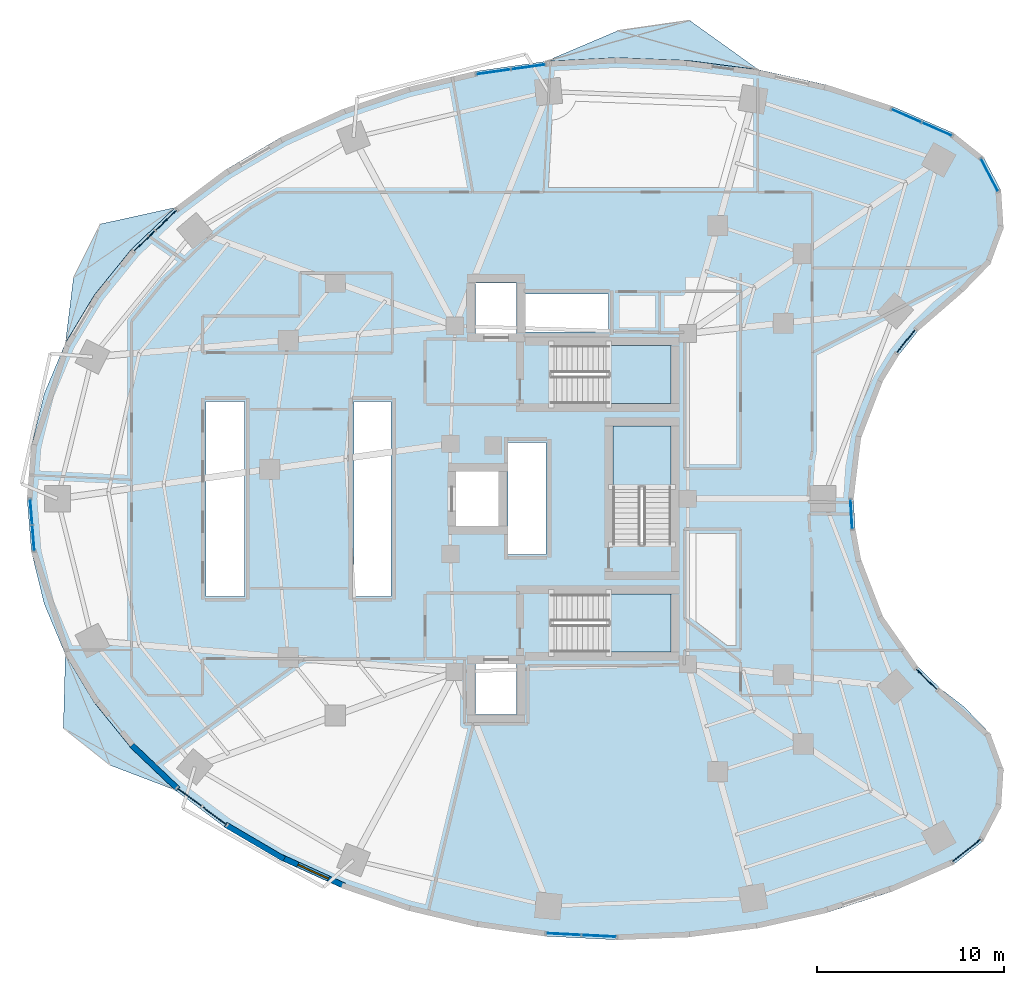
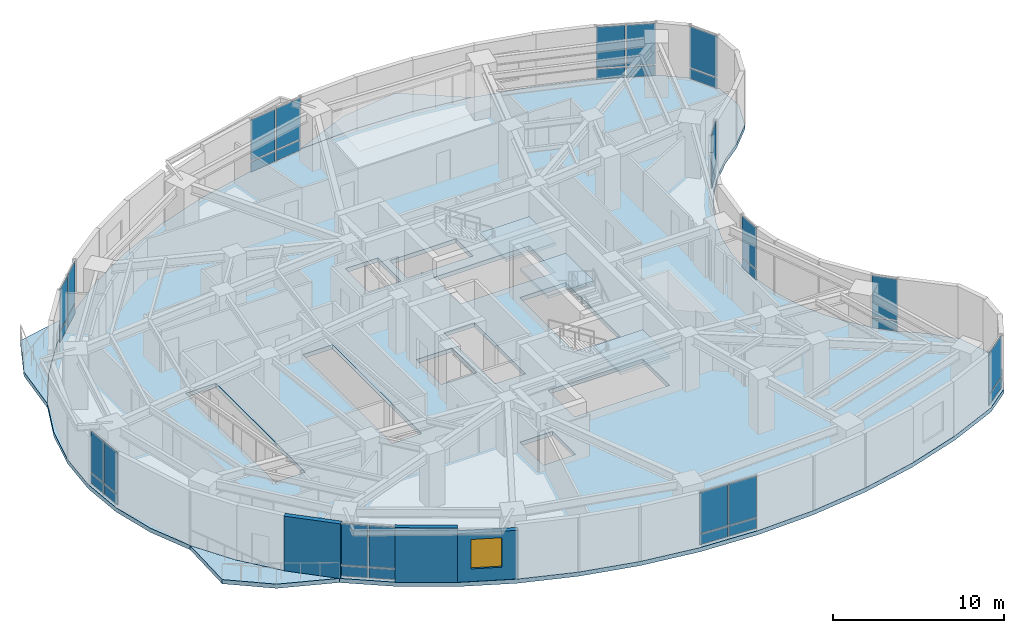
# One storey, part 7 of 15: 34 plates, 7 slabs, 3 walls, 1 window, 1 opening, 14 elements without a shape of their own.
"""IFC4 building model written with IfcOpenShell, lengths in metres."""

from ifc_helpers import new_model, si_unit, direction, frame, frame_2d, origin, origin_2d, place, context, subcontext, project, spatial, polyline, rectangle, outline, extrude, material, layer, layer_set, type_object, element, fill, aggregate, save


model = new_model("IFC4")

# Units and contexts
model_context = context("Model", 3, precision=1e-05, world=origin(), true_north=direction((0.0, 1.0)))
body_context = subcontext(model_context, "Body", "Model", "MODEL_VIEW")
ifc_project = project(units=[si_unit("LENGTHUNIT", "METRE"), si_unit("AREAUNIT", "SQUARE_METRE"), si_unit("VOLUMEUNIT", "CUBIC_METRE"), si_unit("PLANEANGLEUNIT", "RADIAN"), si_unit("MASSUNIT", "GRAM", prefix="KILO")], contexts=[model_context])

# Site, building, storey
site_placement = place(None, origin())
site = spatial("IfcSite", under=ifc_project, at=site_placement, CompositionType="ELEMENT")
building_placement = place(site_placement, origin())
building = spatial("IfcBuilding", under=site, at=building_placement, Name="Korentha Bioscience Tower", CompositionType="ELEMENT")
storey_placement = place(building_placement, frame((0.0, 0.0, 30.0)))
storey = spatial("IfcBuildingStorey", under=building, at=storey_placement, Name="L06", CompositionType="ELEMENT", Elevation=30.0)

# Curtain wall, plates
ifc_material_1 = material(Name="Thermally Broken Aluminium Frame", Category="aluminium")
ifc_layer_1 = layer(ifc_material_1, 0.219970703125, Name="Thermally Broken Aluminium Frame")
ifc_layer_set_1 = layer_set([ifc_layer_1], Name="Thermally Broken Aluminium Frame (CW-T1)")
curtain_wall_type = type_object("IfcCurtainWallType", Name="Standard Bioscience Lab Unitised Curtain Wall CW-T1", PredefinedType="USERDEFINED", material=ifc_layer_set_1)
curtain_wall_1_placement = place(storey_placement, origin())
curtain_wall_1 = element("IfcCurtainWall", 1, at=curtain_wall_1_placement, inside=storey, type_object=curtain_wall_type, Name="L06 Curtain Wall 01", ObjectType="UNITISED", PredefinedType="USERDEFINED")
ifc_material_2 = material(Name="Triple-Glazed Low-E Insulated Glass", Category="glass")
ifc_layer_2 = layer(ifc_material_2, 0.0439453125, Name="Triple-Glazed Low-E Insulated Glass")
ifc_layer_set_2 = layer_set([ifc_layer_2], Name="Triple-Glazed Low-E Insulated Glass (GL-44)")
plate_type = type_object("IfcPlateType", Name="Glazed Panel 44mm", PredefinedType="CURTAIN_PANEL", material=ifc_layer_set_2)
plate_1_placement = place(storey_placement, frame((50.893310546875, 46.780029296875, 0.08984375), z_axis=(0.0, 0.0, 1.0), x_axis=(-0.91593909057, 0.401317308828, 0.0)))
plate_1 = element("IfcPlate", 2, at=plate_1_placement, type_object=plate_type, Name="CW-L06-01 Bay 1 Glazed Panel 1", PredefinedType="CURTAIN_PANEL", context=body_context, shape_type="SweptSolid", body=[
    extrude(rectangle(XDim=1.701171875, YDim=0.0439453125, at=origin_2d()), origin(), (0.0, 0.0, 1.0), 0.715087890625),
])
plate_2_placement = place(storey_placement, frame((50.893310546875, 46.780029296875, 0.89501953125), z_axis=(0.0, 0.0, 1.0), x_axis=(-0.91593909057, 0.401317308828, 0.0)))
plate_2 = element("IfcPlate", 3, at=plate_2_placement, type_object=plate_type, Name="CW-L06-01 Bay 1 Glazed Panel 2", PredefinedType="CURTAIN_PANEL", context=body_context, shape_type="SweptSolid", body=[
    extrude(rectangle(XDim=1.701171875, YDim=0.0439453125, at=origin_2d()), origin(), (0.0, 0.0, 1.0), 2.9150390625),
])
plate_3_placement = place(storey_placement, frame((49.25244140625, 47.498779296875, 0.08984375), z_axis=(0.0, 0.0, 1.0), x_axis=(-0.91593909057, 0.401317308828, 0.0)))
plate_3 = element("IfcPlate", 4, at=plate_3_placement, type_object=plate_type, Name="CW-L06-01 Bay 2 Glazed Panel 1", PredefinedType="CURTAIN_PANEL", context=body_context, shape_type="SweptSolid", body=[
    extrude(rectangle(XDim=1.701171875, YDim=0.0439453125, at=origin_2d()), origin(), (0.0, 0.0, 1.0), 0.715087890625),
])
plate_4_placement = place(storey_placement, frame((49.25244140625, 47.498779296875, 0.89501953125), z_axis=(0.0, 0.0, 1.0), x_axis=(-0.91593909057, 0.401317308828, 0.0)))
plate_4 = element("IfcPlate", 5, at=plate_4_placement, type_object=plate_type, Name="CW-L06-01 Bay 2 Glazed Panel 2", PredefinedType="CURTAIN_PANEL", context=body_context, shape_type="SweptSolid", body=[
    extrude(rectangle(XDim=1.701171875, YDim=0.0439453125, at=origin_2d()), origin(), (0.0, 0.0, 1.0), 2.9150390625),
])
aggregate(curtain_wall_1, [plate_1, plate_2, plate_3, plate_4])

curtain_wall_2_placement = place(storey_placement, origin())
curtain_wall_2 = element("IfcCurtainWall", 6, at=curtain_wall_2_placement, inside=storey, type_object=curtain_wall_type, Name="L06 Curtain Wall 07", ObjectType="UNITISED", PredefinedType="USERDEFINED")
plate_5_placement = place(storey_placement, frame((29.0224609375, 50.11572265625, 0.08984375), z_axis=(0.0, 0.0, 1.0), x_axis=(-0.990167372968, -0.139887717511, 0.0)))
plate_5 = element("IfcPlate", 7, at=plate_5_placement, type_object=plate_type, Name="CW-L06-07 Bay 1 Glazed Panel 1", PredefinedType="CURTAIN_PANEL", context=body_context, shape_type="SweptSolid", body=[
    extrude(rectangle(XDim=1.800537109375, YDim=0.0439453125, at=origin_2d()), origin(), (0.0, 0.0, 1.0), 0.715087890625),
])
plate_6_placement = place(storey_placement, frame((29.0224609375, 50.11572265625, 0.89501953125), z_axis=(0.0, 0.0, 1.0), x_axis=(-0.990167372968, -0.139887717511, 0.0)))
plate_6 = element("IfcPlate", 8, at=plate_6_placement, type_object=plate_type, Name="CW-L06-07 Bay 1 Glazed Panel 2", PredefinedType="CURTAIN_PANEL", context=body_context, shape_type="SweptSolid", body=[
    extrude(rectangle(XDim=1.800537109375, YDim=0.0439453125, at=origin_2d()), origin(), (0.0, 0.0, 1.0), 2.9150390625),
])
plate_7_placement = place(storey_placement, frame((27.150634765625, 49.851318359375, 0.08984375), z_axis=(0.0, 0.0, 1.0), x_axis=(-0.990167372968, -0.139887717511, 0.0)))
plate_7 = element("IfcPlate", 9, at=plate_7_placement, type_object=plate_type, Name="CW-L06-07 Bay 2 Glazed Panel 1", PredefinedType="CURTAIN_PANEL", context=body_context, shape_type="SweptSolid", body=[
    extrude(rectangle(XDim=1.800537109375, YDim=0.0439453125, at=origin_2d()), origin(), (0.0, 0.0, 1.0), 0.715087890625),
])
plate_8_placement = place(storey_placement, frame((27.150634765625, 49.851318359375, 0.89501953125), z_axis=(0.0, 0.0, 1.0), x_axis=(-0.990167372968, -0.139887717511, 0.0)))
plate_8 = element("IfcPlate", 10, at=plate_8_placement, type_object=plate_type, Name="CW-L06-07 Bay 2 Glazed Panel 2", PredefinedType="CURTAIN_PANEL", context=body_context, shape_type="SweptSolid", body=[
    extrude(rectangle(XDim=1.800537109375, YDim=0.0439453125, at=origin_2d()), origin(), (0.0, 0.0, 1.0), 2.9150390625),
])
aggregate(curtain_wall_2, [plate_5, plate_6, plate_7, plate_8])

curtain_wall_3_placement = place(storey_placement, origin())
curtain_wall_3 = element("IfcCurtainWall", 11, at=curtain_wall_3_placement, inside=storey, type_object=curtain_wall_type, Name="L06 Curtain Wall 13", ObjectType="UNITISED", PredefinedType="USERDEFINED")
plate_9_placement = place(storey_placement, frame((9.643798828125, 41.9091796875, 0.08984375), z_axis=(0.0, 0.0, 1.0), x_axis=(-0.723641761581, -0.690175775361, 0.0)))
plate_9 = element("IfcPlate", 12, at=plate_9_placement, type_object=plate_type, Name="CW-L06-13 Bay 1 Glazed Panel 1", PredefinedType="CURTAIN_PANEL", context=body_context, shape_type="SweptSolid", body=[
    extrude(rectangle(XDim=1.5263671875, YDim=0.0439453125, at=origin_2d()), origin(), (0.0, 0.0, 1.0), 0.715087890625),
])
plate_10_placement = place(storey_placement, frame((9.643798828125, 41.9091796875, 0.89501953125), z_axis=(0.0, 0.0, 1.0), x_axis=(-0.723641761581, -0.690175775361, 0.0)))
plate_10 = element("IfcPlate", 13, at=plate_10_placement, type_object=plate_type, Name="CW-L06-13 Bay 1 Glazed Panel 2", PredefinedType="CURTAIN_PANEL", context=body_context, shape_type="SweptSolid", body=[
    extrude(rectangle(XDim=1.5263671875, YDim=0.0439453125, at=origin_2d()), origin(), (0.0, 0.0, 1.0), 2.9150390625),
])
plate_11_placement = place(storey_placement, frame((8.47412109375, 40.793701171875, 0.08984375), z_axis=(0.0, 0.0, 1.0), x_axis=(-0.723641761581, -0.690175775361, 0.0)))
plate_11 = element("IfcPlate", 14, at=plate_11_placement, type_object=plate_type, Name="CW-L06-13 Bay 2 Glazed Panel 1", PredefinedType="CURTAIN_PANEL", context=body_context, shape_type="SweptSolid", body=[
    extrude(rectangle(XDim=1.5263671875, YDim=0.0439453125, at=origin_2d()), origin(), (0.0, 0.0, 1.0), 0.715087890625),
])
plate_12_placement = place(storey_placement, frame((8.47412109375, 40.793701171875, 0.89501953125), z_axis=(0.0, 0.0, 1.0), x_axis=(-0.723641761581, -0.690175775361, 0.0)))
plate_12 = element("IfcPlate", 15, at=plate_12_placement, type_object=plate_type, Name="CW-L06-13 Bay 2 Glazed Panel 2", PredefinedType="CURTAIN_PANEL", context=body_context, shape_type="SweptSolid", body=[
    extrude(rectangle(XDim=1.5263671875, YDim=0.0439453125, at=origin_2d()), origin(), (0.0, 0.0, 1.0), 2.9150390625),
])
aggregate(curtain_wall_3, [plate_9, plate_10, plate_11, plate_12])

curtain_wall_4_placement = place(storey_placement, origin())
curtain_wall_4 = element("IfcCurtainWall", 16, at=curtain_wall_4_placement, inside=storey, type_object=curtain_wall_type, Name="L06 Curtain Wall 19", ObjectType="UNITISED", PredefinedType="USERDEFINED")
plate_13_placement = place(storey_placement, frame((2.4169921875, 26.302734375, 0.08984375), z_axis=(0.0, 0.0, 1.0), x_axis=(0.080820466375, -0.996728675325, 0.0)))
plate_13 = element("IfcPlate", 17, at=plate_13_placement, type_object=plate_type, Name="CW-L06-19 Bay 1 Glazed Panel 1", PredefinedType="CURTAIN_PANEL", context=body_context, shape_type="SweptSolid", body=[
    extrude(rectangle(XDim=1.324951171875, YDim=0.0439453125, at=origin_2d()), origin(), (0.0, 0.0, 1.0), 0.715087890625),
])
plate_14_placement = place(storey_placement, frame((2.4169921875, 26.302734375, 0.89501953125), z_axis=(0.0, 0.0, 1.0), x_axis=(0.080820466375, -0.996728675325, 0.0)))
plate_14 = element("IfcPlate", 18, at=plate_14_placement, type_object=plate_type, Name="CW-L06-19 Bay 1 Glazed Panel 2", PredefinedType="CURTAIN_PANEL", context=body_context, shape_type="SweptSolid", body=[
    extrude(rectangle(XDim=1.324951171875, YDim=0.0439453125, at=origin_2d()), origin(), (0.0, 0.0, 1.0), 2.9150390625),
])
plate_15_placement = place(storey_placement, frame((2.531494140625, 24.892333984375, 0.08984375), z_axis=(0.0, 0.0, 1.0), x_axis=(0.080820466375, -0.996728675325, 0.0)))
plate_15 = element("IfcPlate", 19, at=plate_15_placement, type_object=plate_type, Name="CW-L06-19 Bay 2 Glazed Panel 1", PredefinedType="CURTAIN_PANEL", context=body_context, shape_type="SweptSolid", body=[
    extrude(rectangle(XDim=1.324951171875, YDim=0.0439453125, at=origin_2d()), origin(), (0.0, 0.0, 1.0), 0.715087890625),
])
plate_16_placement = place(storey_placement, frame((2.531494140625, 24.892333984375, 0.89501953125), z_axis=(0.0, 0.0, 1.0), x_axis=(0.080820466375, -0.996728675325, 0.0)))
plate_16 = element("IfcPlate", 20, at=plate_16_placement, type_object=plate_type, Name="CW-L06-19 Bay 2 Glazed Panel 2", PredefinedType="CURTAIN_PANEL", context=body_context, shape_type="SweptSolid", body=[
    extrude(rectangle(XDim=1.324951171875, YDim=0.0439453125, at=origin_2d()), origin(), (0.0, 0.0, 1.0), 2.9150390625),
])
aggregate(curtain_wall_4, [plate_13, plate_14, plate_15, plate_16])

curtain_wall_5_placement = place(storey_placement, origin())
curtain_wall_5 = element("IfcCurtainWall", 21, at=curtain_wall_5_placement, inside=storey, type_object=curtain_wall_type, Name="L06 Curtain Wall 25", ObjectType="UNITISED", PredefinedType="USERDEFINED")
plate_17_placement = place(storey_placement, frame((10.892578125, 11.037109375, 0.08984375), z_axis=(0.0, 0.0, 1.0), x_axis=(0.800797909614, -0.598934644145, 0.0)))
plate_17 = element("IfcPlate", 22, at=plate_17_placement, type_object=plate_type, Name="CW-L06-25 Bay 1 Glazed Panel 1", PredefinedType="CURTAIN_PANEL", context=body_context, shape_type="SweptSolid", body=[
    extrude(rectangle(XDim=1.58544921875, YDim=0.0439453125, at=origin_2d()), origin(), (0.0, 0.0, 1.0), 0.715087890625),
])
plate_18_placement = place(storey_placement, frame((10.892578125, 11.037109375, 0.89501953125), z_axis=(0.0, 0.0, 1.0), x_axis=(0.800797909614, -0.598934644145, 0.0)))
plate_18 = element("IfcPlate", 23, at=plate_18_placement, type_object=plate_type, Name="CW-L06-25 Bay 1 Glazed Panel 2", PredefinedType="CURTAIN_PANEL", context=body_context, shape_type="SweptSolid", body=[
    extrude(rectangle(XDim=1.58544921875, YDim=0.0439453125, at=origin_2d()), origin(), (0.0, 0.0, 1.0), 2.9150390625),
])
plate_19_placement = place(storey_placement, frame((12.234375, 10.033447265625, 0.08984375), z_axis=(0.0, 0.0, 1.0), x_axis=(0.800797909614, -0.598934644145, 0.0)))
plate_19 = element("IfcPlate", 24, at=plate_19_placement, type_object=plate_type, Name="CW-L06-25 Bay 2 Glazed Panel 1", PredefinedType="CURTAIN_PANEL", context=body_context, shape_type="SweptSolid", body=[
    extrude(rectangle(XDim=1.58544921875, YDim=0.0439453125, at=origin_2d()), origin(), (0.0, 0.0, 1.0), 0.715087890625),
])
plate_20_placement = place(storey_placement, frame((12.234375, 10.033447265625, 0.89501953125), z_axis=(0.0, 0.0, 1.0), x_axis=(0.800797909614, -0.598934644145, 0.0)))
plate_20 = element("IfcPlate", 25, at=plate_20_placement, type_object=plate_type, Name="CW-L06-25 Bay 2 Glazed Panel 2", PredefinedType="CURTAIN_PANEL", context=body_context, shape_type="SweptSolid", body=[
    extrude(rectangle(XDim=1.58544921875, YDim=0.0439453125, at=origin_2d()), origin(), (0.0, 0.0, 1.0), 2.9150390625),
])
aggregate(curtain_wall_5, [plate_17, plate_18, plate_19, plate_20])

curtain_wall_6_placement = place(storey_placement, origin())
curtain_wall_6 = element("IfcCurtainWall", 26, at=curtain_wall_6_placement, inside=storey, type_object=curtain_wall_type, Name="L06 Curtain Wall 31", ObjectType="UNITISED", PredefinedType="USERDEFINED")
plate_21_placement = place(storey_placement, frame((30.90478515625, 3.70458984375, 0.08984375), z_axis=(0.0, 0.0, 1.0), x_axis=(0.998730551641, -0.050371472279, 0.0)))
plate_21 = element("IfcPlate", 27, at=plate_21_placement, type_object=plate_type, Name="CW-L06-31 Bay 1 Glazed Panel 1", PredefinedType="CURTAIN_PANEL", context=body_context, shape_type="SweptSolid", body=[
    extrude(rectangle(XDim=1.8134765625, YDim=0.0439453125, at=origin_2d()), origin(), (0.0, 0.0, 1.0), 0.715087890625),
])
plate_22_placement = place(storey_placement, frame((30.90478515625, 3.70458984375, 0.89501953125), z_axis=(0.0, 0.0, 1.0), x_axis=(0.998730551641, -0.050371472279, 0.0)))
plate_22 = element("IfcPlate", 28, at=plate_22_placement, type_object=plate_type, Name="CW-L06-31 Bay 1 Glazed Panel 2", PredefinedType="CURTAIN_PANEL", context=body_context, shape_type="SweptSolid", body=[
    extrude(rectangle(XDim=1.8134765625, YDim=0.0439453125, at=origin_2d()), origin(), (0.0, 0.0, 1.0), 2.9150390625),
])
plate_23_placement = place(storey_placement, frame((32.805908203125, 3.608642578125, 0.08984375), z_axis=(0.0, 0.0, 1.0), x_axis=(0.998730551641, -0.050371472279, 0.0)))
plate_23 = element("IfcPlate", 29, at=plate_23_placement, type_object=plate_type, Name="CW-L06-31 Bay 2 Glazed Panel 1", PredefinedType="CURTAIN_PANEL", context=body_context, shape_type="SweptSolid", body=[
    extrude(rectangle(XDim=1.8134765625, YDim=0.0439453125, at=origin_2d()), origin(), (0.0, 0.0, 1.0), 0.715087890625),
])
plate_24_placement = place(storey_placement, frame((32.805908203125, 3.608642578125, 0.89501953125), z_axis=(0.0, 0.0, 1.0), x_axis=(0.998730551641, -0.050371472279, 0.0)))
plate_24 = element("IfcPlate", 30, at=plate_24_placement, type_object=plate_type, Name="CW-L06-31 Bay 2 Glazed Panel 2", PredefinedType="CURTAIN_PANEL", context=body_context, shape_type="SweptSolid", body=[
    extrude(rectangle(XDim=1.8134765625, YDim=0.0439453125, at=origin_2d()), origin(), (0.0, 0.0, 1.0), 2.9150390625),
])
aggregate(curtain_wall_6, [plate_21, plate_22, plate_23, plate_24])

curtain_wall_7_placement = place(storey_placement, origin())
curtain_wall_7 = element("IfcCurtainWall", 31, at=curtain_wall_7_placement, inside=storey, type_object=curtain_wall_type, Name="L06 Curtain Wall 37", ObjectType="UNITISED", PredefinedType="USERDEFINED")
plate_25_placement = place(storey_placement, frame((52.4755859375, 8.19140625, 0.08984375), z_axis=(0.0, 0.0, 1.0), x_axis=(0.782287851332, 0.62291710336, 0.0)))
plate_25 = element("IfcPlate", 32, at=plate_25_placement, type_object=plate_type, Name="CW-L06-37 Bay 1 Glazed Panel 1", PredefinedType="CURTAIN_PANEL", context=body_context, shape_type="SweptSolid", body=[
    extrude(rectangle(XDim=1.927734375, YDim=0.0439453125, at=origin_2d()), origin(), (0.0, 0.0, 1.0), 0.715087890625),
])
plate_26_placement = place(storey_placement, frame((52.4755859375, 8.19140625, 0.89501953125), z_axis=(0.0, 0.0, 1.0), x_axis=(0.782287851332, 0.62291710336, 0.0)))
plate_26 = element("IfcPlate", 33, at=plate_26_placement, type_object=plate_type, Name="CW-L06-37 Bay 1 Glazed Panel 2", PredefinedType="CURTAIN_PANEL", context=body_context, shape_type="SweptSolid", body=[
    extrude(rectangle(XDim=1.927734375, YDim=0.0439453125, at=origin_2d()), origin(), (0.0, 0.0, 1.0), 2.9150390625),
])
aggregate(curtain_wall_7, [plate_25, plate_26])

curtain_wall_8_placement = place(storey_placement, origin())
curtain_wall_8 = element("IfcCurtainWall", 34, at=curtain_wall_8_placement, inside=storey, type_object=curtain_wall_type, Name="L06 Curtain Wall 43", ObjectType="UNITISED", PredefinedType="USERDEFINED")
plate_27_placement = place(storey_placement, frame((50.333251953125, 17.335693359375, 0.08984375), z_axis=(0.0, 0.0, 1.0), x_axis=(-0.713279246754, 0.700879958445, 0.0)))
plate_27 = element("IfcPlate", 35, at=plate_27_placement, type_object=plate_type, Name="CW-L06-43 Bay 1 Glazed Panel 1", PredefinedType="CURTAIN_PANEL", context=body_context, shape_type="SweptSolid", body=[
    extrude(rectangle(XDim=1.537841796875, YDim=0.0439453125, at=origin_2d()), origin(), (0.0, 0.0, 1.0), 0.715087890625),
])
plate_28_placement = place(storey_placement, frame((50.333251953125, 17.335693359375, 0.89501953125), z_axis=(0.0, 0.0, 1.0), x_axis=(-0.713279246754, 0.700879958445, 0.0)))
plate_28 = element("IfcPlate", 36, at=plate_28_placement, type_object=plate_type, Name="CW-L06-43 Bay 1 Glazed Panel 2", PredefinedType="CURTAIN_PANEL", context=body_context, shape_type="SweptSolid", body=[
    extrude(rectangle(XDim=1.537841796875, YDim=0.0439453125, at=origin_2d()), origin(), (0.0, 0.0, 1.0), 2.9150390625),
])
aggregate(curtain_wall_8, [plate_27, plate_28])

curtain_wall_9_placement = place(storey_placement, origin())
curtain_wall_9 = element("IfcCurtainWall", 37, at=curtain_wall_9_placement, inside=storey, type_object=curtain_wall_type, Name="L06 Curtain Wall 49", ObjectType="UNITISED", PredefinedType="USERDEFINED")
plate_29_placement = place(storey_placement, frame((46.305908203125, 26.1728515625, 0.08984375), z_axis=(0.0, 0.0, 1.0), x_axis=(-0.061008272998, 0.998137260413, 0.0)))
plate_29 = element("IfcPlate", 38, at=plate_29_placement, type_object=plate_type, Name="CW-L06-49 Bay 1 Glazed Panel 1", PredefinedType="CURTAIN_PANEL", context=body_context, shape_type="SweptSolid", body=[
    extrude(rectangle(XDim=1.537841796875, YDim=0.0439453125, at=origin_2d()), origin(), (0.0, 0.0, 1.0), 0.715087890625),
])
plate_30_placement = place(storey_placement, frame((46.305908203125, 26.1728515625, 0.89501953125), z_axis=(0.0, 0.0, 1.0), x_axis=(-0.061008272998, 0.998137260413, 0.0)))
plate_30 = element("IfcPlate", 39, at=plate_30_placement, type_object=plate_type, Name="CW-L06-49 Bay 1 Glazed Panel 2", PredefinedType="CURTAIN_PANEL", context=body_context, shape_type="SweptSolid", body=[
    extrude(rectangle(XDim=1.537841796875, YDim=0.0439453125, at=origin_2d()), origin(), (0.0, 0.0, 1.0), 2.9150390625),
])
aggregate(curtain_wall_9, [plate_29, plate_30])

curtain_wall_10_placement = place(storey_placement, origin())
curtain_wall_10 = element("IfcCurtainWall", 40, at=curtain_wall_10_placement, inside=storey, type_object=curtain_wall_type, Name="L06 Curtain Wall 55", ObjectType="UNITISED", PredefinedType="USERDEFINED")
plate_31_placement = place(storey_placement, frame((49.226318359375, 35.434814453125, 0.08984375), z_axis=(0.0, 0.0, 1.0), x_axis=(0.622520324648, 0.782603632371, 0.0)))
plate_31 = element("IfcPlate", 41, at=plate_31_placement, type_object=plate_type, Name="CW-L06-55 Bay 1 Glazed Panel 1", PredefinedType="CURTAIN_PANEL", context=body_context, shape_type="SweptSolid", body=[
    extrude(rectangle(XDim=1.537841796875, YDim=0.0439453125, at=origin_2d()), origin(), (0.0, 0.0, 1.0), 0.715087890625),
])
plate_32_placement = place(storey_placement, frame((49.226318359375, 35.434814453125, 0.89501953125), z_axis=(0.0, 0.0, 1.0), x_axis=(0.622520324648, 0.782603632371, 0.0)))
plate_32 = element("IfcPlate", 42, at=plate_32_placement, type_object=plate_type, Name="CW-L06-55 Bay 1 Glazed Panel 2", PredefinedType="CURTAIN_PANEL", context=body_context, shape_type="SweptSolid", body=[
    extrude(rectangle(XDim=1.537841796875, YDim=0.0439453125, at=origin_2d()), origin(), (0.0, 0.0, 1.0), 2.9150390625),
])
aggregate(curtain_wall_10, [plate_31, plate_32])

curtain_wall_11_placement = place(storey_placement, origin())
curtain_wall_11 = element("IfcCurtainWall", 43, at=curtain_wall_11_placement, inside=storey, type_object=curtain_wall_type, Name="L06 Curtain Wall 61", ObjectType="UNITISED", PredefinedType="USERDEFINED")
plate_33_placement = place(storey_placement, frame((53.6962890625, 44.32958984375, 0.08984375), z_axis=(0.0, 0.0, 1.0), x_axis=(-0.463008597697, 0.886353788539, 0.0)))
plate_33 = element("IfcPlate", 44, at=plate_33_placement, type_object=plate_type, Name="CW-L06-61 Bay 1 Glazed Panel 1", PredefinedType="CURTAIN_PANEL", context=body_context, shape_type="SweptSolid", body=[
    extrude(rectangle(XDim=1.927734375, YDim=0.0439453125, at=origin_2d()), origin(), (0.0, 0.0, 1.0), 0.715087890625),
])
plate_34_placement = place(storey_placement, frame((53.6962890625, 44.32958984375, 0.89501953125), z_axis=(0.0, 0.0, 1.0), x_axis=(-0.463008597697, 0.886353788539, 0.0)))
plate_34 = element("IfcPlate", 45, at=plate_34_placement, type_object=plate_type, Name="CW-L06-61 Bay 1 Glazed Panel 2", PredefinedType="CURTAIN_PANEL", context=body_context, shape_type="SweptSolid", body=[
    extrude(rectangle(XDim=1.927734375, YDim=0.0439453125, at=origin_2d()), origin(), (0.0, 0.0, 1.0), 2.9150390625),
])
aggregate(curtain_wall_11, [plate_33, plate_34])

# Slab
ifc_material_3 = material(Name="Concrete C50", Category="concrete")
ifc_layer_3 = layer(ifc_material_3, 0.300048828125, Name="Concrete C50")
ifc_layer_set_3 = layer_set([ifc_layer_3], Name="Concrete C50 (SL-L300)")
slab_type_1 = type_object("IfcSlabType", Name="Laboratory Vibration-Controlled Slab 300", PredefinedType="FLOOR", material=ifc_layer_set_3)
slab_1_placement = place(storey_placement, frame((0.0, 0.0, -0.300048828125)))
element("IfcSlab", 46, at=slab_1_placement, inside=storey, type_object=slab_type_1, Name="L06 Tower Structural Floor Slab", PredefinedType="FLOOR", context=body_context, shape_type="SweptSolid", body=[
    extrude(outline(polyline([(51.7822265625, 46.565185546875), (48.49169921875, 48.0068359375), (44.9921875, 49.145263671875), (41.33349609375, 49.9638671875), (37.569091796875, 50.450927734375), (33.75341796875, 50.599365234375), (29.94091796875, 50.406982421875), (26.187255859375, 49.876708984375), (22.54638671875, 49.01611328125), (19.07080078125, 47.837646484375), (15.810791015625, 46.358154296875), (12.8134765625, 44.599365234375), (10.1220703125, 42.58642578125), (7.775390625, 40.348388671875), (5.807373046875, 37.91748046875), (4.246337890625, 35.3291015625), (3.114990234375, 32.62060546875), (2.4296875, 29.830810546875), (2.199951171875, 27.0), (2.4296875, 24.169189453125), (3.114990234375, 21.37939453125), (4.246337890625, 18.6708984375), (5.807373046875, 16.08251953125), (7.775390625, 13.651611328125), (10.1220703125, 11.41357421875), (12.8134765625, 9.400634765625), (15.810791015625, 7.641845703125), (19.07080078125, 6.162353515625), (22.54638671875, 4.98388671875), (26.187255859375, 4.123291015625), (29.94091796875, 3.593017578125), (33.75341796875, 3.400634765625), (37.569091796875, 3.549072265625), (41.33349609375, 4.0361328125), (44.9921875, 4.854736328125), (48.49169921875, 5.9931640625), (51.7822265625, 7.434814453125), (53.368408203125, 8.69775390625), (54.307373046875, 10.4951171875), (54.4384765625, 12.518310546875), (53.739013671875, 14.421630859375), (52.3291015625, 15.878662109375), (51.029541015625, 16.875732421875), (49.861328125, 18.023681640625), (48.841796875, 19.3056640625), (47.98583984375, 20.7021484375), (47.306640625, 22.192626953125), (46.814208984375, 23.754638671875), (46.515625, 25.365234375), (46.415771484375, 27.0), (46.515625, 28.634765625), (46.814208984375, 30.245361328125), (47.306640625, 31.807373046875), (47.98583984375, 33.2978515625), (48.841796875, 34.6943359375), (49.861328125, 35.976318359375), (51.029541015625, 37.124267578125), (52.3291015625, 38.121337890625), (53.739013671875, 39.578369140625), (54.4384765625, 41.481689453125), (54.307373046875, 43.5048828125), (53.368408203125, 45.30224609375), (51.7822265625, 46.565185546875)]), holes=[polyline([(30.25, 32.10009765625), (36.64990234375, 32.10009765625), (36.64990234375, 35.199951171875), (30.25, 35.199951171875), (30.25, 32.10009765625)]), polyline([(30.25, 18.800048828125), (36.64990234375, 18.800048828125), (36.64990234375, 21.89990234375), (30.25, 21.89990234375), (30.25, 18.800048828125)]), polyline([(36.64990234375, 24.550048828125), (36.64990234375, 30.89990234375), (33.550048828125, 30.89990234375), (33.550048828125, 24.550048828125), (36.64990234375, 24.550048828125)]), polyline([(11.780029296875, 21.780029296875), (13.820068359375, 21.780029296875), (13.820068359375, 32.219970703125), (11.780029296875, 32.219970703125), (11.780029296875, 21.780029296875)]), polyline([(19.679931640625, 21.780029296875), (21.669921875, 21.780029296875), (21.669921875, 32.219970703125), (19.679931640625, 32.219970703125), (19.679931640625, 21.780029296875)]), polyline([(27.929931640625, 24.030029296875), (29.969970703125, 24.030029296875), (29.969970703125, 30.02001953125), (27.929931640625, 30.02001953125), (27.929931640625, 24.030029296875)]), polyline([(28.860107421875, 35.93994140625), (33.31005859375, 35.93994140625), (33.31005859375, 37.9599609375), (28.860107421875, 37.9599609375), (28.860107421875, 35.93994140625)]), polyline([(26.199951171875, 15.449951171875), (28.39990234375, 15.449951171875), (28.39990234375, 18.14990234375), (26.199951171875, 18.14990234375), (26.199951171875, 15.449951171875)]), polyline([(26.199951171875, 35.85009765625), (28.39990234375, 35.85009765625), (28.39990234375, 38.550048828125), (26.199951171875, 38.550048828125), (26.199951171875, 35.85009765625)]), polyline([(25.14990234375, 25.550048828125), (27.550048828125, 25.550048828125), (27.550048828125, 28.449951171875), (25.14990234375, 28.449951171875), (25.14990234375, 25.550048828125)])]), origin(), (0.0, 0.0, 1.0), 0.300048828125),
])

# Stair, slab
ifc_material_4 = material(Name="Precast Concrete C50", Category="concrete")
stair_type = type_object("IfcStairType", Name="Core Exit Dog-Leg Stair 1450", PredefinedType="HALF_TURN_STAIR", material=ifc_material_4)
stair_1_placement = place(storey_placement, origin())
stair_1 = element("IfcStair", 47, at=stair_1_placement, inside=storey, type_object=stair_type, Name="L06 Tower North Pressurized Exit Stair ST-1", PredefinedType="HALF_TURN_STAIR")
ifc_layer_4 = layer(ifc_material_3, 0.199951171875, Name="Concrete C50")
ifc_layer_set_4 = layer_set([ifc_layer_4], Name="Concrete C50 (SL-LND)")
slab_type_2 = type_object("IfcSlabType", Name="Landing Slab 200", PredefinedType="LANDING", material=ifc_layer_set_4)
slab_2_placement = place(storey_placement, frame((0.0, 0.0, 1.89990234375)))
slab_2 = element("IfcSlab", 48, at=slab_2_placement, type_object=slab_type_2, Name="ST-1 landing 1", PredefinedType="LANDING", context=body_context, shape_type="SweptSolid", body=[
    extrude(outline(polyline([(33.330078125, 32.10009765625), (36.64990234375, 32.10009765625), (36.64990234375, 35.199951171875), (33.330078125, 35.199951171875), (33.330078125, 32.10009765625)])), origin(), (0.0, 0.0, 1.0), 0.2001953125),
])
aggregate(stair_1, [slab_2])

stair_2_placement = place(storey_placement, origin())
stair_2 = element("IfcStair", 49, at=stair_2_placement, inside=storey, type_object=stair_type, Name="L06 Tower South Pressurized Exit Stair ST-2", PredefinedType="HALF_TURN_STAIR")
slab_3_placement = place(storey_placement, frame((0.0, 0.0, 1.89990234375)))
slab_3 = element("IfcSlab", 50, at=slab_3_placement, type_object=slab_type_2, Name="ST-2 landing 1", PredefinedType="LANDING", context=body_context, shape_type="SweptSolid", body=[
    extrude(outline(polyline([(33.330078125, 18.800048828125), (36.64990234375, 18.800048828125), (36.64990234375, 21.89990234375), (33.330078125, 21.89990234375), (33.330078125, 18.800048828125)])), origin(), (0.0, 0.0, 1.0), 0.2001953125),
])
aggregate(stair_2, [slab_3])

stair_3_placement = place(storey_placement, origin())
stair_3 = element("IfcStair", 51, at=stair_3_placement, inside=storey, type_object=stair_type, Name="L06 Tower Central Pressurized Exit Stair ST-3", PredefinedType="HALF_TURN_STAIR")
slab_4_placement = place(storey_placement, frame((0.0, 0.0, 1.89990234375)))
slab_4 = element("IfcSlab", 52, at=slab_4_placement, type_object=slab_type_2, Name="ST-3 landing 1", PredefinedType="LANDING", context=body_context, shape_type="SweptSolid", body=[
    extrude(outline(polyline([(36.64990234375, 27.6298828125), (36.64990234375, 30.89990234375), (33.550048828125, 30.89990234375), (33.550048828125, 27.6298828125), (36.64990234375, 27.6298828125)])), origin(), (0.0, 0.0, 1.0), 0.2001953125),
])
aggregate(stair_3, [slab_4])

# Slabs
ifc_layer_5 = layer(ifc_material_3, 0.300048828125, Name="Concrete C50")
ifc_layer_set_5 = layer_set([ifc_layer_5], Name="Concrete C50 (BS-240)")
slab_type_3 = type_object("IfcSlabType", Name="Sawtooth Sun-Ledge Balcony Slab 240", PredefinedType="USERDEFINED", material=ifc_layer_set_5)
slab_5_placement = place(storey_placement, frame((0.0, 0.0, -0.300048828125)))
element("IfcSlab", 53, at=slab_5_placement, inside=storey, type_object=slab_type_3, Name="L06 Sun-Ledge Balcony 01", ObjectType="BALCONY", PredefinedType="USERDEFINED", context=body_context, shape_type="SweptSolid", body=[
    extrude(outline(polyline([(29.94091796875, 50.406982421875), (33.75341796875, 50.599365234375), (37.569091796875, 50.450927734375), (41.33349609375, 49.9638671875), (37.65283203125, 52.599365234375), (33.809814453125, 52.048095703125), (29.94091796875, 50.406982421875)])), origin(), (0.0, 0.0, 1.0), 0.300048828125),
])
slab_6_placement = place(storey_placement, frame((0.0, 0.0, -0.300048828125)))
element("IfcSlab", 54, at=slab_6_placement, inside=storey, type_object=slab_type_3, Name="L06 Sun-Ledge Balcony 02", ObjectType="BALCONY", PredefinedType="USERDEFINED", context=body_context, shape_type="SweptSolid", body=[
    extrude(outline(polyline([(4.246337890625, 35.3291015625), (5.807373046875, 37.91748046875), (7.775390625, 40.348388671875), (10.1220703125, 42.58642578125), (6.104248046875, 41.701171875), (4.680419921875, 38.830078125), (4.246337890625, 35.3291015625)])), origin(), (0.0, 0.0, 1.0), 0.300048828125),
])
slab_7_placement = place(storey_placement, frame((0.0, 0.0, -0.300048828125)))
element("IfcSlab", 55, at=slab_7_placement, inside=storey, type_object=slab_type_3, Name="L06 Sun-Ledge Balcony 03", ObjectType="BALCONY", PredefinedType="USERDEFINED", context=body_context, shape_type="SweptSolid", body=[
    extrude(outline(polyline([(10.1220703125, 11.41357421875), (7.775390625, 13.651611328125), (5.807373046875, 16.08251953125), (4.246337890625, 18.6708984375), (4.13623046875, 14.7294921875), (6.6484375, 12.7392578125), (10.1220703125, 11.41357421875)])), origin(), (0.0, 0.0, 1.0), 0.300048828125),
])

# Wall, opening, window
ifc_material_5 = material(Name="Honed Limestone Precast Concrete C40", Category="masonry")
ifc_layer_6 = layer(ifc_material_5, 0.300048828125, Name="Honed Limestone Precast Concrete C40")
ifc_layer_set_6 = layer_set([ifc_layer_6], Name="Honed Limestone Precast Concrete C40 (EW-ST300)")
wall_type = type_object("IfcWallType", Name="Honed Limestone Cavity Spandrel Wall 300", PredefinedType="STANDARD", material=ifc_layer_set_6)
wall_1_placement = place(storey_placement, frame((15.822265625, 7.812255859375, 0.0), z_axis=(0.0, 0.0, 1.0), x_axis=(0.910608120407, -0.413270917254, 0.0)))
wall_1 = element("IfcWall", 56, at=wall_1_placement, inside=storey, type_object=wall_type, Name="L06 Honed Limestone Spandrel Wall 27", PredefinedType="STANDARD", context=body_context, shape_type="SweptSolid", body=[
    extrude(rectangle(XDim=3.699951171875, YDim=0.300048828125, at=frame_2d((1.85009765625, 0.0))), origin(), (0.0, 0.0, 1.0), 3.469970703125),
])
opening_placement = place(wall_1_placement, frame((0.949951171875, 0.0, 0.89990234375)))
opening = element("IfcOpeningElement", 57, at=opening_placement, cuts=wall_1, Name="Opening WN-01", PredefinedType="OPENING", context=body_context, shape_type="SweptSolid", body=[
    extrude(rectangle(XDim=1.800048828125, YDim=2.10009765625, at=frame_2d((0.89990234375, 1.050048828125))), frame((0.0, 0.1650390625, 0.0), z_axis=(0.0, -1.0, 0.0), x_axis=(1.0, 0.0, 0.0)), (0.0, 0.0, 1.0), 0.329833984375),
])
ifc_material_6 = material(Name="Thermally Broken Aluminium Triple Glazing", Category="aluminium")
window_type = type_object("IfcWindowType", Name="Triple-Glazed Fixed Bioscience Window 1800x2100", PartitioningType="SINGLE_PANEL", PredefinedType="WINDOW", material=ifc_material_6)
window_placement = place(opening_placement, origin())
window = element("IfcWindow", 58, at=window_placement, inside=storey, type_object=window_type, Name="L06 Facade Window 27", OverallHeight=2.10009765625, OverallWidth=1.800048828125, PartitioningType="SINGLE_PANEL", PredefinedType="WINDOW", context=body_context, shape_type="SweptSolid", body=[
    extrude(rectangle(XDim=1.800048828125, YDim=2.10009765625, at=frame_2d((0.89990234375, 1.050048828125))), frame((0.0, 0.030029296875, 0.0), z_axis=(0.0, -1.0, 0.0), x_axis=(1.0, 0.0, 0.0)), (0.0, 0.0, 1.0), 0.06005859375),
])
fill(opening, window)

# Walls
wall_2_placement = place(storey_placement, frame((7.81396484375, 13.80810546875, 0.0), z_axis=(0.0, 0.0, 1.0), x_axis=(0.72369587847, -0.69011902994, 0.0)))
element("IfcWall", 59, at=wall_2_placement, inside=storey, type_object=wall_type, Name="L06 Limestone Perimeter Closure Wall 24", PredefinedType="STANDARD", context=body_context, shape_type="SweptSolid", body=[
    extrude(rectangle(XDim=3.40283203125, YDim=0.300048828125, at=frame_2d((1.701416015625, 0.0))), origin(), (0.0, 0.0, 1.0), 3.89990234375),
])
wall_3_placement = place(storey_placement, frame((12.8154296875, 9.56201171875, 0.0), z_axis=(0.0, 0.0, 1.0), x_axis=(0.8624654944, -0.506115867139, 0.0)))
element("IfcWall", 60, at=wall_3_placement, inside=storey, type_object=wall_type, Name="L06 Limestone Perimeter Closure Wall 26", PredefinedType="STANDARD", context=body_context, shape_type="SweptSolid", body=[
    extrude(rectangle(XDim=3.63525390625, YDim=0.300048828125, at=frame_2d((1.817626953125, 0.0))), origin(), (0.0, 0.0, 1.0), 3.89990234375),
])

save(model, "model.ifc")
